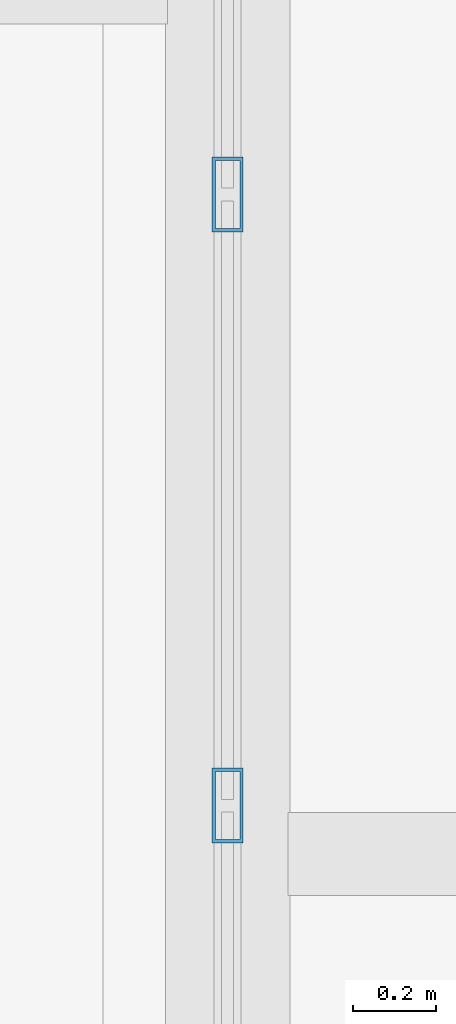
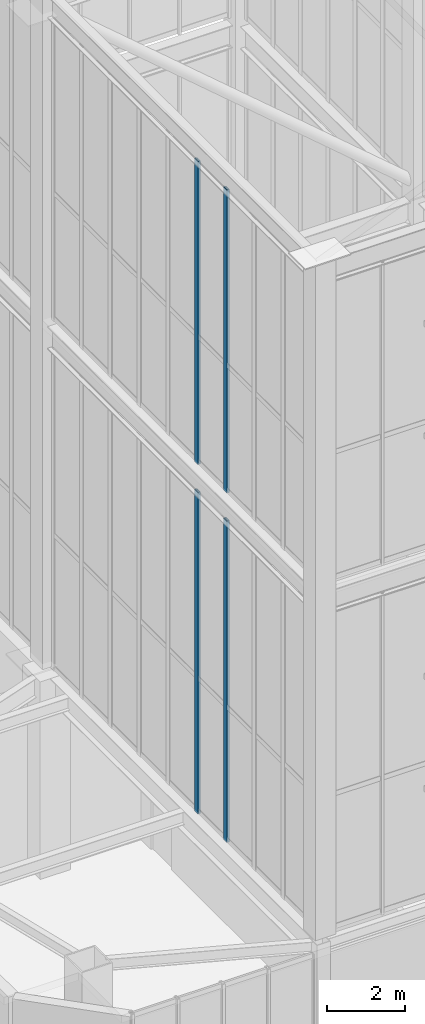
# One storey, part 5 of 135: 4 members, 2 elements without a shape of their own.
"""IFC4 building model written with IfcOpenShell, lengths in metres."""

from ifc_helpers import new_model, si_unit, direction, frame, origin, origin_2d, place, context, subcontext, project, spatial, hollow_rectangle, extrude, source, transform, mapped, material, layer, layer_set, material_profile, profile_set, type_object, element, aggregate, save


model = new_model("IFC4")

# Units and contexts
model_context = context("Model", 3, precision=1e-05, world=origin(), true_north=direction((0.0, 1.0)))
body_context = subcontext(model_context, "Body", "Model", "MODEL_VIEW")
ifc_project = project(units=[si_unit("LENGTHUNIT", "METRE"), si_unit("AREAUNIT", "SQUARE_METRE"), si_unit("VOLUMEUNIT", "CUBIC_METRE"), si_unit("PLANEANGLEUNIT", "RADIAN"), si_unit("MASSUNIT", "GRAM", prefix="KILO")], contexts=[model_context])

# Site, building, storey
site_placement = place(None, origin())
site = spatial("IfcSite", under=ifc_project, at=site_placement, CompositionType="ELEMENT")
building_placement = place(site_placement, origin())
building = spatial("IfcBuilding", under=site, at=building_placement, Name="Giltprow Tower", CompositionType="ELEMENT")
storey_placement = place(building_placement, frame((0.0, 0.0, 352.699951171875)))
storey = spatial("IfcBuildingStorey", under=building, at=storey_placement, Name="L92", CompositionType="ELEMENT", Elevation=352.699951171875)

# Curtain wall, members
ifc_material = material(Name="Anodized bronze", Category="metal")
ifc_layer = layer(ifc_material, 0.179931640625, Name="Anodized bronze")
ifc_layer_set = layer_set([ifc_layer], Name="Anodized bronze")
curtain_wall_type = type_object("IfcCurtainWallType", Name="CW-CROWN-LANTERN", PredefinedType="NOTDEFINED", material=ifc_layer_set)
curtain_wall_1_placement = place(storey_placement, origin())
curtain_wall_1 = element("IfcCurtainWall", 1, at=curtain_wall_1_placement, inside=storey, type_object=curtain_wall_type, Name="Crown West Lower Lantern Glazing 6", PredefinedType="NOTDEFINED")
ifc_material_profile = material_profile(ifc_material, hollow_rectangle(XDim=0.074951171875, YDim=0.179931640625, WallThickness=0.008056640625, at=origin_2d()), Name="RHS 180x75x8")
ifc_profile_set = profile_set([ifc_material_profile], Name="Anodized bronze")
member_type = type_object("IfcMemberType", Name="CW-MULLION-180x75", PredefinedType="MULLION", material=ifc_profile_set)
shared_shape_1 = source(origin(), body_context, "Body", "SweptSolid", [
    extrude(hollow_rectangle(XDim=0.074951171875, YDim=0.179931640625, WallThickness=0.008056640625, at=origin_2d()), origin(), (0.0, 0.0, 1.0), 10.030029296875),
])
member_1_placement = place(storey_placement, frame((19.85009765625, 29.739013671875, 6.35009765625), z_axis=(0.0, 0.0, 1.0), x_axis=(1.0, 0.0, 0.0)))
member_1 = element("IfcMember", 2, at=member_1_placement, type_object=member_type, Name="Crown West Lower Lantern Glazing 6 Mullion 6", PredefinedType="MULLION", context=body_context, shape_type="MappedRepresentation", body=[
    mapped(shared_shape_1, transform((0.0, 0.0, 0.0), x_axis=(1.0, 0.0, 0.0), y_axis=(0.0, 1.0, 0.0), z_axis=(0.0, 0.0, 1.0), scale=1.0)),
])
member_2_placement = place(storey_placement, frame((19.85009765625, 28.26708984375, 6.35009765625), z_axis=(0.0, 0.0, 1.0), x_axis=(1.0, 0.0, 0.0)))
member_2 = element("IfcMember", 3, at=member_2_placement, type_object=member_type, Name="Crown West Lower Lantern Glazing 6 Mullion 7", PredefinedType="MULLION", context=body_context, shape_type="MappedRepresentation", body=[
    mapped(shared_shape_1, transform((0.0, 0.0, 0.0), x_axis=(1.0, 0.0, 0.0), y_axis=(0.0, 1.0, 0.0), z_axis=(0.0, 0.0, 1.0), scale=1.0)),
])
aggregate(curtain_wall_1, [member_1, member_2])

curtain_wall_2_placement = place(storey_placement, origin())
curtain_wall_2 = element("IfcCurtainWall", 4, at=curtain_wall_2_placement, inside=storey, type_object=curtain_wall_type, Name="Crown West Upper Lantern Glazing 6", PredefinedType="NOTDEFINED")
shared_shape_2 = source(origin(), body_context, "Body", "SweptSolid", [
    extrude(hollow_rectangle(XDim=0.074951171875, YDim=0.179931640625, WallThickness=0.008056640625, at=origin_2d()), origin(), (0.0, 0.0, 1.0), 9.45703125),
])
member_3_placement = place(storey_placement, frame((19.85009765625, 29.739013671875, 17.25), z_axis=(0.0, 0.0, 1.0), x_axis=(1.0, 0.0, 0.0)))
member_3 = element("IfcMember", 5, at=member_3_placement, type_object=member_type, Name="Crown West Upper Lantern Glazing 6 Mullion 6", PredefinedType="MULLION", context=body_context, shape_type="MappedRepresentation", body=[
    mapped(shared_shape_2, transform((0.0, 0.0, 0.0), x_axis=(1.0, 0.0, 0.0), y_axis=(0.0, 1.0, 0.0), z_axis=(0.0, 0.0, 1.0), scale=1.0)),
])
member_4_placement = place(storey_placement, frame((19.85009765625, 28.26708984375, 17.25), z_axis=(0.0, 0.0, 1.0), x_axis=(1.0, 0.0, 0.0)))
member_4 = element("IfcMember", 6, at=member_4_placement, type_object=member_type, Name="Crown West Upper Lantern Glazing 6 Mullion 7", PredefinedType="MULLION", context=body_context, shape_type="MappedRepresentation", body=[
    mapped(shared_shape_2, transform((0.0, 0.0, 0.0), x_axis=(1.0, 0.0, 0.0), y_axis=(0.0, 1.0, 0.0), z_axis=(0.0, 0.0, 1.0), scale=1.0)),
])
aggregate(curtain_wall_2, [member_3, member_4])

save(model, "model.ifc")
